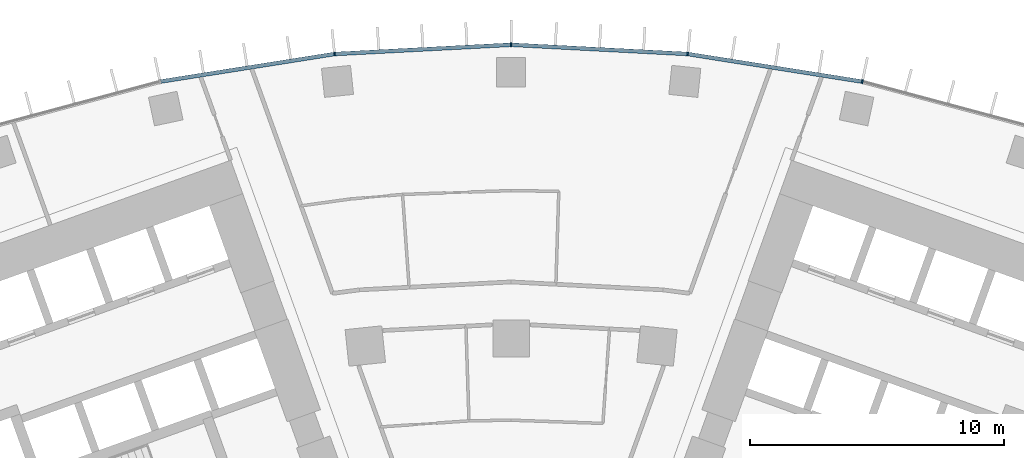
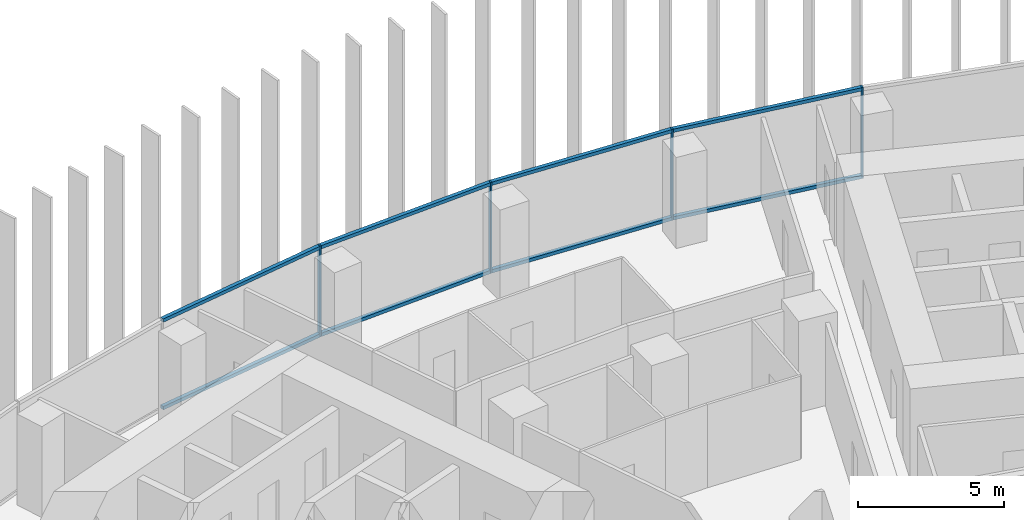
# One storey, part 7 of 22: 12 members, 1 element without a shape of its own.
"""IFC4 building model written with IfcOpenShell, lengths in metres."""

from ifc_helpers import new_model, si_unit, direction, frame, origin, origin_2d, place, context, subcontext, project, spatial, rectangle, extrude, material, layer, layer_set, material_profile, profile_set, type_object, element, aggregate, save


model = new_model("IFC4")

# Units and contexts
model_context = context("Model", 3, precision=1e-05, world=origin(), true_north=direction((0.0, 1.0)))
body_context = subcontext(model_context, "Body", "Model", "MODEL_VIEW")
ifc_project = project(units=[si_unit("LENGTHUNIT", "METRE"), si_unit("AREAUNIT", "SQUARE_METRE"), si_unit("VOLUMEUNIT", "CUBIC_METRE"), si_unit("PLANEANGLEUNIT", "RADIAN"), si_unit("MASSUNIT", "GRAM", prefix="KILO")], contexts=[model_context])

# Site, building, storey
site_placement = place(None, origin())
site = spatial("IfcSite", under=ifc_project, at=site_placement, CompositionType="ELEMENT")
building_placement = place(site_placement, origin())
building = spatial("IfcBuilding", under=site, at=building_placement, Name="Stone Belt Terrace Tower", CompositionType="ELEMENT")
storey_placement = place(building_placement, frame((0.0, 0.0, 121.199951171875)))
storey = spatial("IfcBuildingStorey", under=building, at=storey_placement, Name="L29", CompositionType="ELEMENT", Elevation=121.199951171875)

# Curtain wall, members
ifc_material = material(Name="Aluminium 6063-T6 anodised frame", Category="aluminium")
ifc_layer = layer(ifc_material, 0.14990234375)
ifc_layer_set = layer_set([ifc_layer], Name="CW-A unitised convex-face curtain wall")
curtain_wall_type = type_object("IfcCurtainWallType", Name="CW-A unitised convex-face curtain wall", PredefinedType="NOTDEFINED", material=ifc_layer_set)
curtain_wall_placement = place(storey_placement, origin())
curtain_wall = element("IfcCurtainWall", 1, at=curtain_wall_placement, inside=storey, type_object=curtain_wall_type, Name="CW-A convex face L29", PredefinedType="NOTDEFINED")
ifc_material_profile_1 = material_profile(ifc_material, rectangle(XDim=0.14990234375, YDim=0.06005859375, at=origin_2d()), Name="Aluminium 6063-T6 60x150")
ifc_profile_set_1 = profile_set([ifc_material_profile_1], Name="Aluminium 6063-T6 anodised frame")
member_type_1 = type_object("IfcMemberType", Name="CW-A mullion 60 x 150", PredefinedType="MULLION", material=ifc_profile_set_1)
member_1_placement = place(storey_placement, frame((13.841796875, 65.120361328125, 0.0), z_axis=(0.0, 0.0, 1.0), x_axis=(-0.207911690818, -0.978147600734, 0.0)))
member_1 = element("IfcMember", 2, at=member_1_placement, type_object=member_type_1, Name="CW-A mullion 8", PredefinedType="MULLION", context=body_context, shape_type="SweptSolid", body=[
    extrude(rectangle(XDim=0.14990234375, YDim=0.06005859375, at=origin_2d()), origin(), (0.0, 0.0, 1.0), 3.800048828125),
])
member_2_placement = place(storey_placement, frame((6.958984375, 66.21044921875, 0.0), z_axis=(0.0, 0.0, 1.0), x_axis=(-0.104528463268, -0.994521895368, 0.0)))
member_2 = element("IfcMember", 3, at=member_2_placement, type_object=member_type_1, Name="CW-A mullion 9", PredefinedType="MULLION", context=body_context, shape_type="SweptSolid", body=[
    extrude(rectangle(XDim=0.14990234375, YDim=0.06005859375, at=origin_2d()), origin(), (0.0, 0.0, 1.0), 3.800048828125),
])
member_3_placement = place(storey_placement, frame((0.0, 66.5751953125, 0.0), z_axis=(0.0, 0.0, 1.0), x_axis=(0.0, -1.0, 0.0)))
member_3 = element("IfcMember", 4, at=member_3_placement, type_object=member_type_1, Name="CW-A mullion 10", PredefinedType="MULLION", context=body_context, shape_type="SweptSolid", body=[
    extrude(rectangle(XDim=0.14990234375, YDim=0.06005859375, at=origin_2d()), origin(), (0.0, 0.0, 1.0), 3.800048828125),
])
member_4_placement = place(storey_placement, frame((-6.958984375, 66.21044921875, 0.0), z_axis=(0.0, 0.0, 1.0), x_axis=(0.104528463268, -0.994521895368, 0.0)))
member_4 = element("IfcMember", 5, at=member_4_placement, type_object=member_type_1, Name="CW-A mullion 11", PredefinedType="MULLION", context=body_context, shape_type="SweptSolid", body=[
    extrude(rectangle(XDim=0.14990234375, YDim=0.06005859375, at=origin_2d()), origin(), (0.0, 0.0, 1.0), 3.800048828125),
])
ifc_material_profile_2 = material_profile(ifc_material, rectangle(XDim=0.14990234375, YDim=0.139892578125, at=origin_2d()), Name="Aluminium 6063-T6 150x140")
ifc_profile_set_2 = profile_set([ifc_material_profile_2], Name="Aluminium 6063-T6 anodised frame")
member_type_2 = type_object("IfcMemberType", Name="CW-A transom 140 x 150", PredefinedType="USERDEFINED", material=ifc_profile_set_2)
member_5_placement = place(storey_placement, frame((13.808349609375, 65.12548828125, 0.070068359375), z_axis=(-0.987687120531, 0.156442168027, 0.0), x_axis=(-0.156442168027, -0.987687120531, 0.0)))
member_5 = element("IfcMember", 6, at=member_5_placement, type_object=member_type_2, Name="CW-A transom 8.1", ObjectType="TRANSOM", PredefinedType="USERDEFINED", context=body_context, shape_type="SweptSolid", body=[
    extrude(rectangle(XDim=0.14990234375, YDim=0.139892578125, at=origin_2d()), origin(), (0.0, 0.0, 1.0), 6.90087890625),
])
member_6_placement = place(storey_placement, frame((13.808349609375, 65.12548828125, 3.72998046875), z_axis=(-0.987687120531, 0.156442168027, 0.0), x_axis=(-0.156442168027, -0.987687120531, 0.0)))
member_6 = element("IfcMember", 7, at=member_6_placement, type_object=member_type_2, Name="CW-A transom 8.2", ObjectType="TRANSOM", PredefinedType="USERDEFINED", context=body_context, shape_type="SweptSolid", body=[
    extrude(rectangle(XDim=0.14990234375, YDim=0.139892578125, at=origin_2d()), origin(), (0.0, 0.0, 1.0), 6.90087890625),
])
member_7_placement = place(storey_placement, frame((6.925048828125, 66.212158203125, 0.070068359375), z_axis=(-0.998630019135, 0.052326712899, 0.0), x_axis=(-0.052326712899, -0.998630019135, 0.0)))
member_7 = element("IfcMember", 8, at=member_7_placement, type_object=member_type_2, Name="CW-A transom 9.1", ObjectType="TRANSOM", PredefinedType="USERDEFINED", context=body_context, shape_type="SweptSolid", body=[
    extrude(rectangle(XDim=0.14990234375, YDim=0.139892578125, at=origin_2d()), origin(), (0.0, 0.0, 1.0), 6.900634765625),
])
member_8_placement = place(storey_placement, frame((6.925048828125, 66.212158203125, 3.72998046875), z_axis=(-0.998630019135, 0.052326712899, 0.0), x_axis=(-0.052326712899, -0.998630019135, 0.0)))
member_8 = element("IfcMember", 9, at=member_8_placement, type_object=member_type_2, Name="CW-A transom 9.2", ObjectType="TRANSOM", PredefinedType="USERDEFINED", context=body_context, shape_type="SweptSolid", body=[
    extrude(rectangle(XDim=0.14990234375, YDim=0.139892578125, at=origin_2d()), origin(), (0.0, 0.0, 1.0), 6.900634765625),
])
member_9_placement = place(storey_placement, frame((-0.033935546875, 66.5732421875, 0.070068359375), z_axis=(-0.998630019135, -0.052326712899, 0.0), x_axis=(0.052326712899, -0.998630019135, 0.0)))
member_9 = element("IfcMember", 10, at=member_9_placement, type_object=member_type_2, Name="CW-A transom 10.1", ObjectType="TRANSOM", PredefinedType="USERDEFINED", context=body_context, shape_type="SweptSolid", body=[
    extrude(rectangle(XDim=0.14990234375, YDim=0.139892578125, at=origin_2d()), origin(), (0.0, 0.0, 1.0), 6.900634765625),
])
member_10_placement = place(storey_placement, frame((-0.033935546875, 66.5732421875, 3.72998046875), z_axis=(-0.998630019135, -0.052326712899, 0.0), x_axis=(0.052326712899, -0.998630019135, 0.0)))
member_10 = element("IfcMember", 11, at=member_10_placement, type_object=member_type_2, Name="CW-A transom 10.2", ObjectType="TRANSOM", PredefinedType="USERDEFINED", context=body_context, shape_type="SweptSolid", body=[
    extrude(rectangle(XDim=0.14990234375, YDim=0.139892578125, at=origin_2d()), origin(), (0.0, 0.0, 1.0), 6.900634765625),
])
member_11_placement = place(storey_placement, frame((-6.992431640625, 66.205078125, 0.070068359375), z_axis=(-0.987687120531, -0.156442168027, 0.0), x_axis=(0.156442168027, -0.987687120531, 0.0)))
member_11 = element("IfcMember", 12, at=member_11_placement, type_object=member_type_2, Name="CW-A transom 11.1", ObjectType="TRANSOM", PredefinedType="USERDEFINED", context=body_context, shape_type="SweptSolid", body=[
    extrude(rectangle(XDim=0.14990234375, YDim=0.139892578125, at=origin_2d()), origin(), (0.0, 0.0, 1.0), 6.90087890625),
])
member_12_placement = place(storey_placement, frame((-6.992431640625, 66.205078125, 3.72998046875), z_axis=(-0.987687120531, -0.156442168027, 0.0), x_axis=(0.156442168027, -0.987687120531, 0.0)))
member_12 = element("IfcMember", 13, at=member_12_placement, type_object=member_type_2, Name="CW-A transom 11.2", ObjectType="TRANSOM", PredefinedType="USERDEFINED", context=body_context, shape_type="SweptSolid", body=[
    extrude(rectangle(XDim=0.14990234375, YDim=0.139892578125, at=origin_2d()), origin(), (0.0, 0.0, 1.0), 6.90087890625),
])
aggregate(curtain_wall, [member_1, member_2, member_3, member_4, member_5, member_6, member_7, member_8, member_9, member_10, member_11, member_12])

save(model, "model.ifc")
